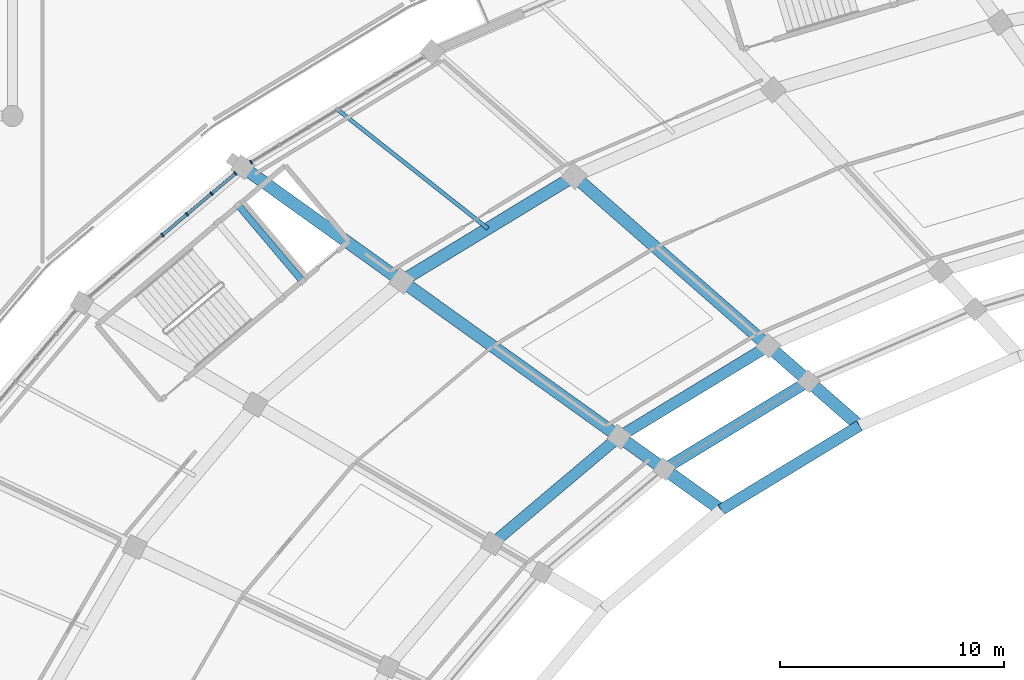
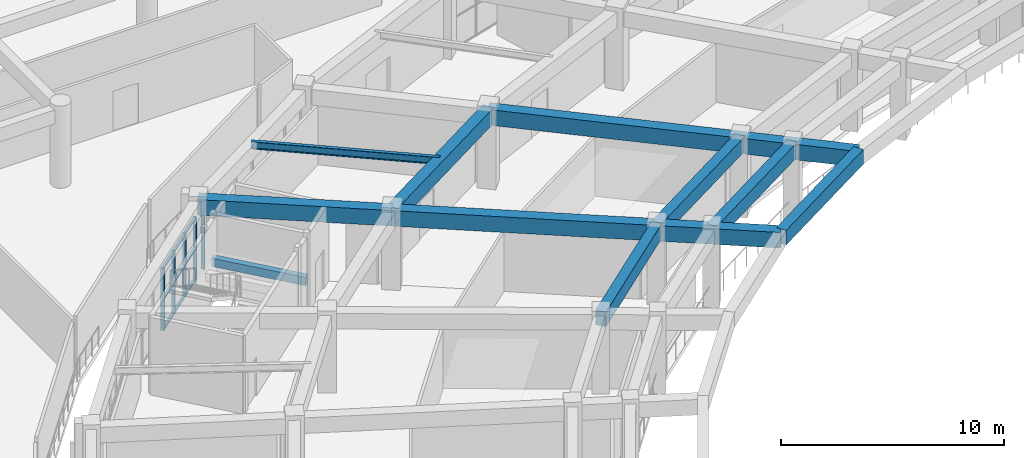
# One storey, part 57 of 145: 14 members, 10 beams, 2 elements without a shape of their own.
"""IFC4 building model written with IfcOpenShell, lengths in metres."""

from ifc_helpers import new_model, si_unit, direction, frame, origin, origin_2d, place, context, subcontext, project, spatial, rectangle, i_section, extrude, material, layer, layer_set, material_profile, profile_set, type_object, element, aggregate, save


model = new_model("IFC4")

# Units and contexts
model_context = context("Model", 3, precision=1e-05, world=origin(), true_north=direction((0.0, 1.0)))
body_context = subcontext(model_context, "Body", "Model", "MODEL_VIEW")
ifc_project = project(units=[si_unit("LENGTHUNIT", "METRE"), si_unit("AREAUNIT", "SQUARE_METRE"), si_unit("VOLUMEUNIT", "CUBIC_METRE"), si_unit("PLANEANGLEUNIT", "RADIAN"), si_unit("MASSUNIT", "GRAM", prefix="KILO")], contexts=[model_context])

# Site, building, storey
site_placement = place(None, origin())
site = spatial("IfcSite", under=ifc_project, at=site_placement, CompositionType="ELEMENT")
building_placement = place(site_placement, origin())
building = spatial("IfcBuilding", under=site, at=building_placement, Name="Mphavela Belvedere Stadium", CompositionType="ELEMENT")
storey_placement = place(building_placement, frame((0.0, 0.0, 10.199951171875)))
storey = spatial("IfcBuildingStorey", under=building, at=storey_placement, Name="L02", CompositionType="ELEMENT", Elevation=10.199951171875)

# Beams
ifc_material_1 = material(Name="Steel S355", Category="steel")
ifc_material_profile_1 = material_profile(ifc_material_1, i_section(OverallWidth=0.179931640625, OverallDepth=0.39990234375, WebThickness=0.008544921875, FlangeThickness=0.013427734375, at=origin_2d()), Name="IPE 400")
ifc_profile_set_1 = profile_set([ifc_material_profile_1], Name="Steel S355")
beam_type_1 = type_object("IfcBeamType", Name="BM-JOIST-IPE400", PredefinedType="JOIST", material=ifc_profile_set_1)
beam_1_placement = place(storey_placement, frame((46.789306640625, 140.97412109375, 4.050048828125), z_axis=(-0.784195537739, 0.620513785979, 0.0), x_axis=(-0.620513785979, -0.784195537739, 0.0)))
element("IfcBeam", 1, at=beam_1_placement, inside=storey, type_object=beam_type_1, Name="Concourse floor joist L02-18", PredefinedType="JOIST", context=body_context, shape_type="SweptSolid", body=[
    extrude(i_section(OverallWidth=0.179931640625, OverallDepth=0.39990234375, WebThickness=0.008544921875, FlangeThickness=0.013427734375, at=origin_2d()), origin(), (0.0, 0.0, 1.0), 8.56298828125),
])
ifc_material_2 = material(Name="Concrete C40/50", Category="concrete")
ifc_material_profile_2 = material_profile(ifc_material_2, rectangle(XDim=0.300048828125, YDim=0.449951171875, at=origin_2d()), Name="RC 300x450")
ifc_profile_set_2 = profile_set([ifc_material_profile_2], Name="Concrete C40/50")
beam_type_2 = type_object("IfcBeamType", Name="BM-RC300x450", PredefinedType="BEAM", material=ifc_profile_set_2)
beam_2_placement = place(storey_placement, frame((38.510009765625, 138.612548828125, 1.824951171875), z_axis=(-0.644915803055, 0.764253627384, 0.0), x_axis=(-0.764253627384, -0.644915803055, 0.0)))
element("IfcBeam", 2, at=beam_2_placement, inside=storey, type_object=beam_type_2, Name="Core C05 landing trimmer beam L02-2", PredefinedType="BEAM", context=body_context, shape_type="SweptSolid", body=[
    extrude(rectangle(XDim=0.300048828125, YDim=0.449951171875, at=origin_2d()), origin(), (0.0, 0.0, 1.0), 4.469970703125),
])
ifc_material_3 = material(Name="Concrete C40/50", Category="concrete")
ifc_material_profile_3 = material_profile(ifc_material_3, rectangle(XDim=0.5, YDim=0.800048828125, at=origin_2d()), Name="RC 500x800")
ifc_profile_set_3 = profile_set([ifc_material_profile_3], Name="Concrete C40/50")
beam_type_3 = type_object("IfcBeamType", Name="BM-RC500x800", PredefinedType="BEAM", material=ifc_profile_set_3)
beam_3_placement = place(storey_placement, frame((61.11083984375, 134.154296875, 3.85009765625), z_axis=(-0.854325951403, -0.51973759606, 0.0), x_axis=(0.51973759606, -0.854325951403, 0.0)))
element("IfcBeam", 3, at=beam_3_placement, inside=storey, type_object=beam_type_3, Name="Circumferential girder L02 R1-18", PredefinedType="BEAM", context=body_context, shape_type="SweptSolid", body=[
    extrude(rectangle(XDim=0.5, YDim=0.800048828125, at=origin_2d()), origin(), (0.0, 0.0, 1.0), 7.5478515625),
])
beam_4_placement = place(storey_placement, frame((59.31005859375, 135.72998046875, 3.85009765625), z_axis=(-0.854328477138, -0.519733444326, 0.0), x_axis=(0.519733444326, -0.854328477138, 0.0)))
element("IfcBeam", 4, at=beam_4_placement, inside=storey, type_object=beam_type_3, Name="Circumferential girder L02 R2-18", PredefinedType="BEAM", context=body_context, shape_type="SweptSolid", body=[
    extrude(rectangle(XDim=0.5, YDim=0.800048828125, at=origin_2d()), origin(), (0.0, 0.0, 1.0), 7.800048828125),
])
beam_5_placement = place(storey_placement, frame((52.646240234375, 131.676025390625, 3.85009765625), z_axis=(-0.764257451296, -0.644911271523, 0.0), x_axis=(0.644911271523, -0.764257451296, 0.0)))
element("IfcBeam", 5, at=beam_5_placement, inside=storey, type_object=beam_type_3, Name="Circumferential girder L02 R2-19", PredefinedType="BEAM", context=body_context, shape_type="SweptSolid", body=[
    extrude(rectangle(XDim=0.5, YDim=0.800048828125, at=origin_2d()), origin(), (0.0, 0.0, 1.0), 7.4033203125),
])
beam_6_placement = place(storey_placement, frame((63.37841796875, 132.170166015625, 3.85009765625), z_axis=(-0.854327633962, -0.519734830321, 0.0), x_axis=(0.519734830321, -0.854327633962, 0.0)))
element("IfcBeam", 6, at=beam_6_placement, inside=storey, type_object=beam_type_3, Name="Upper tier front sightline ring beam 18", PredefinedType="BEAM", context=body_context, shape_type="SweptSolid", body=[
    extrude(rectangle(XDim=0.5, YDim=0.800048828125, at=origin_2d()), origin(), (0.0, 0.0, 1.0), 7.230224609375),
])
ifc_material_4 = material(Name="Concrete C40/50", Category="concrete")
ifc_material_profile_4 = material_profile(ifc_material_4, rectangle(XDim=0.550048828125, YDim=0.85009765625, at=origin_2d()), Name="RC 550x850")
ifc_profile_set_4 = profile_set([ifc_material_profile_4], Name="Concrete C40/50")
beam_type_4 = type_object("IfcBeamType", Name="BM-RC550x850", PredefinedType="BEAM", material=ifc_profile_set_4)
beam_7_placement = place(storey_placement, frame((50.639892578125, 143.31689453125, 3.824951171875), z_axis=(-0.854315160357, -0.519755333579, 0.0), x_axis=(0.519755333579, -0.854315160357, 0.0)))
element("IfcBeam", 7, at=beam_7_placement, inside=storey, type_object=beam_type_4, Name="Circumferential girder L02 R3-18", PredefinedType="BEAM", context=body_context, shape_type="SweptSolid", body=[
    extrude(rectangle(XDim=0.550048828125, YDim=0.85009765625, at=origin_2d()), origin(), (0.0, 0.0, 1.0), 9.014404296875),
])
beam_8_placement = place(storey_placement, frame((42.938720703125, 138.631591796875, 3.824951171875), z_axis=(-0.812882024932, 0.582428376319, 0.0), x_axis=(-0.582428376319, -0.812882024932, 0.0)))
element("IfcBeam", 8, at=beam_8_placement, inside=storey, type_object=beam_type_4, Name="Radial concourse girder L02 R3R4-19", PredefinedType="BEAM", context=body_context, shape_type="SweptSolid", body=[
    extrude(rectangle(XDim=0.550048828125, YDim=0.85009765625, at=origin_2d()), origin(), (0.0, 0.0, 1.0), 8.727294921875),
])
beam_9_placement = place(storey_placement, frame((63.37841796875, 132.170166015625, 3.824951171875), z_axis=(-0.752561505429, 0.65852196664, 0.0), x_axis=(-0.65852196664, -0.752561505429, 0.0)))
element("IfcBeam", 9, at=beam_9_placement, inside=storey, type_object=beam_type_4, Name="Upper tier box-front outrigger girder 18", PredefinedType="BEAM", context=body_context, shape_type="SweptSolid", body=[
    extrude(rectangle(XDim=0.550048828125, YDim=0.85009765625, at=origin_2d()), origin(), (0.0, 0.0, 1.0), 16.927001953125),
])
beam_10_placement = place(storey_placement, frame((57.201416015625, 128.412353515625, 3.824951171875), z_axis=(-0.812880808861, 0.582430073559, 0.0), x_axis=(-0.582430073559, -0.812880808861, 0.0)))
element("IfcBeam", 10, at=beam_10_placement, inside=storey, type_object=beam_type_4, Name="Upper tier box-front outrigger girder 19", PredefinedType="BEAM", context=body_context, shape_type="SweptSolid", body=[
    extrude(rectangle(XDim=0.550048828125, YDim=0.85009765625, at=origin_2d()), origin(), (0.0, 0.0, 1.0), 17.5458984375),
])

# Curtain wall, member
ifc_material_5 = material(Name="Anodised bronze unitised curtain wall framing")
ifc_layer_1 = layer(ifc_material_5, 0.199951171875)
ifc_layer_set_1 = layer_set([ifc_layer_1], Name="Anodised bronze unitised curtain wall framing")
curtain_wall_type_1 = type_object("IfcCurtainWallType", Name="CW-UNIT-05", PredefinedType="USERDEFINED", material=ifc_layer_set_1)
curtain_wall_1_placement = place(storey_placement, origin())
curtain_wall_1 = element("IfcCurtainWall", 11, at=curtain_wall_1_placement, inside=storey, type_object=curtain_wall_type_1, Name="Belvedere colonnade curtain wall L02-18", ObjectType="UNITISED CURTAIN WALL", PredefinedType="USERDEFINED")
ifc_material_6 = material(Name="Anodised bronze extruded aluminium", Category="aluminium")
ifc_material_profile_5 = material_profile(ifc_material_6, rectangle(XDim=0.179931640625, YDim=0.06494140625, at=origin_2d()), Name="CW-MUL 180x65")
ifc_profile_set_5 = profile_set([ifc_material_profile_5], Name="Anodised bronze extruded aluminium")
member_type_1 = type_object("IfcMemberType", Name="CWM-180x65", PredefinedType="MULLION", material=ifc_profile_set_5)
member_1_placement = place(storey_placement, frame((36.212158203125, 143.938232421875, 0.0), z_axis=(0.0, 0.0, 1.0), x_axis=(0.519731623633, -0.85432958476, 0.0)))
member_1 = element("IfcMember", 12, at=member_1_placement, type_object=member_type_1, Name="CW-05 mullion 7", PredefinedType="MULLION", context=body_context, shape_type="SweptSolid", body=[
    extrude(rectangle(XDim=0.179931640625, YDim=0.06494140625, at=origin_2d()), origin(), (0.0, 0.0, 1.0), 3.420166015625),
])
aggregate(curtain_wall_1, [member_1])

# Curtain wall, members
ifc_material_7 = material(Name="Anodised bronze unitised curtain wall framing")
ifc_layer_2 = layer(ifc_material_7, 0.205078125)
ifc_layer_set_2 = layer_set([ifc_layer_2], Name="Anodised bronze unitised curtain wall framing")
curtain_wall_type_2 = type_object("IfcCurtainWallType", Name="CW-UNIT-06", PredefinedType="USERDEFINED", material=ifc_layer_set_2)
curtain_wall_2_placement = place(storey_placement, origin())
curtain_wall_2 = element("IfcCurtainWall", 13, at=curtain_wall_2_placement, inside=storey, type_object=curtain_wall_type_2, Name="Belvedere colonnade curtain wall L02-19", ObjectType="UNITISED CURTAIN WALL", PredefinedType="USERDEFINED")
member_2_placement = place(storey_placement, frame((35.515380859375, 143.436767578125, 0.0), z_axis=(0.0, 0.0, 1.0), x_axis=(0.644907225915, -0.764260865126, 0.0)))
member_2 = element("IfcMember", 14, at=member_2_placement, type_object=member_type_1, Name="CW-06 mullion 1", PredefinedType="MULLION", context=body_context, shape_type="SweptSolid", body=[
    extrude(rectangle(XDim=0.179931640625, YDim=0.06494140625, at=origin_2d()), origin(), (0.0, 0.0, 1.0), 3.420166015625),
])
member_3_placement = place(storey_placement, frame((34.444580078125, 142.533203125, 0.0), z_axis=(0.0, 0.0, 1.0), x_axis=(0.644907225915, -0.764260865126, 0.0)))
member_3 = element("IfcMember", 15, at=member_3_placement, type_object=member_type_1, Name="CW-06 mullion 2", PredefinedType="MULLION", context=body_context, shape_type="SweptSolid", body=[
    extrude(rectangle(XDim=0.179931640625, YDim=0.06494140625, at=origin_2d()), origin(), (0.0, 0.0, 1.0), 3.420166015625),
])
member_4_placement = place(storey_placement, frame((33.348876953125, 141.608642578125, 0.0), z_axis=(0.0, 0.0, 1.0), x_axis=(0.644907225915, -0.764260865126, 0.0)))
member_4 = element("IfcMember", 16, at=member_4_placement, type_object=member_type_1, Name="CW-06 mullion 3", PredefinedType="MULLION", context=body_context, shape_type="SweptSolid", body=[
    extrude(rectangle(XDim=0.179931640625, YDim=0.06494140625, at=origin_2d()), origin(), (0.0, 0.0, 1.0), 3.420166015625),
])
member_5_placement = place(storey_placement, frame((32.2529296875, 140.68408203125, 0.0), z_axis=(0.0, 0.0, 1.0), x_axis=(0.644907225915, -0.764260865126, 0.0)))
member_5 = element("IfcMember", 17, at=member_5_placement, type_object=member_type_1, Name="CW-06 mullion 4", PredefinedType="MULLION", context=body_context, shape_type="SweptSolid", body=[
    extrude(rectangle(XDim=0.179931640625, YDim=0.06494140625, at=origin_2d()), origin(), (0.0, 0.0, 1.0), 3.420166015625),
])
ifc_material_8 = material(Name="Anodised bronze extruded aluminium", Category="aluminium")
ifc_material_profile_6 = material_profile(ifc_material_8, rectangle(XDim=0.139892578125, YDim=0.06005859375, at=origin_2d()), Name="CW-TRN 140x60")
ifc_profile_set_6 = profile_set([ifc_material_profile_6], Name="Anodised bronze extruded aluminium")
member_type_2 = type_object("IfcMemberType", Name="CWT-140x60", PredefinedType="USERDEFINED", material=ifc_profile_set_6)
member_6_placement = place(storey_placement, frame((35.490478515625, 143.415771484375, 0.030029296875), z_axis=(-0.764328068464, -0.644827576766, 0.0), x_axis=(0.644827576766, -0.764328068464, 0.0)))
member_6 = element("IfcMember", 18, at=member_6_placement, type_object=member_type_2, Name="CW-06 transom 1.1", ObjectType="TRANSOM", PredefinedType="USERDEFINED", context=body_context, shape_type="SweptSolid", body=[
    extrude(rectangle(XDim=0.139892578125, YDim=0.06005859375, at=origin_2d()), origin(), (0.0, 0.0, 1.0), 1.336181640625),
])
member_7_placement = place(storey_placement, frame((35.490478515625, 143.415771484375, 1.7099609375), z_axis=(-0.764328068464, -0.644827576766, 0.0), x_axis=(0.644827576766, -0.764328068464, 0.0)))
member_7 = element("IfcMember", 19, at=member_7_placement, type_object=member_type_2, Name="CW-06 transom 1.2", ObjectType="TRANSOM", PredefinedType="USERDEFINED", context=body_context, shape_type="SweptSolid", body=[
    extrude(rectangle(XDim=0.139892578125, YDim=0.06005859375, at=origin_2d()), origin(), (0.0, 0.0, 1.0), 1.336181640625),
])
member_8_placement = place(storey_placement, frame((35.490478515625, 143.415771484375, 3.39013671875), z_axis=(-0.764328068464, -0.644827576766, 0.0), x_axis=(0.644827576766, -0.764328068464, 0.0)))
member_8 = element("IfcMember", 20, at=member_8_placement, type_object=member_type_2, Name="CW-06 transom 1.3", ObjectType="TRANSOM", PredefinedType="USERDEFINED", context=body_context, shape_type="SweptSolid", body=[
    extrude(rectangle(XDim=0.139892578125, YDim=0.06005859375, at=origin_2d()), origin(), (0.0, 0.0, 1.0), 1.336181640625),
])
member_9_placement = place(storey_placement, frame((34.419677734375, 142.51220703125, 0.030029296875), z_axis=(-0.764332692147, -0.644822096175, 0.0), x_axis=(0.644822096175, -0.764332692147, 0.0)))
member_9 = element("IfcMember", 21, at=member_9_placement, type_object=member_type_2, Name="CW-06 transom 2.1", ObjectType="TRANSOM", PredefinedType="USERDEFINED", context=body_context, shape_type="SweptSolid", body=[
    extrude(rectangle(XDim=0.139892578125, YDim=0.06005859375, at=origin_2d()), origin(), (0.0, 0.0, 1.0), 1.36865234375),
])
member_10_placement = place(storey_placement, frame((34.419677734375, 142.51220703125, 1.7099609375), z_axis=(-0.764332692147, -0.644822096175, 0.0), x_axis=(0.644822096175, -0.764332692147, 0.0)))
member_10 = element("IfcMember", 22, at=member_10_placement, type_object=member_type_2, Name="CW-06 transom 2.2", ObjectType="TRANSOM", PredefinedType="USERDEFINED", context=body_context, shape_type="SweptSolid", body=[
    extrude(rectangle(XDim=0.139892578125, YDim=0.06005859375, at=origin_2d()), origin(), (0.0, 0.0, 1.0), 1.36865234375),
])
member_11_placement = place(storey_placement, frame((34.419677734375, 142.51220703125, 3.39013671875), z_axis=(-0.764332692147, -0.644822096175, 0.0), x_axis=(0.644822096175, -0.764332692147, 0.0)))
member_11 = element("IfcMember", 23, at=member_11_placement, type_object=member_type_2, Name="CW-06 transom 2.3", ObjectType="TRANSOM", PredefinedType="USERDEFINED", context=body_context, shape_type="SweptSolid", body=[
    extrude(rectangle(XDim=0.139892578125, YDim=0.06005859375, at=origin_2d()), origin(), (0.0, 0.0, 1.0), 1.36865234375),
])
member_12_placement = place(storey_placement, frame((33.323974609375, 141.587646484375, 0.030029296875), z_axis=(-0.764332692147, -0.644822096175, 0.0), x_axis=(0.644822096175, -0.764332692147, 0.0)))
member_12 = element("IfcMember", 24, at=member_12_placement, type_object=member_type_2, Name="CW-06 transom 3.1", ObjectType="TRANSOM", PredefinedType="USERDEFINED", context=body_context, shape_type="SweptSolid", body=[
    extrude(rectangle(XDim=0.139892578125, YDim=0.06005859375, at=origin_2d()), origin(), (0.0, 0.0, 1.0), 1.36865234375),
])
member_13_placement = place(storey_placement, frame((33.323974609375, 141.587646484375, 1.7099609375), z_axis=(-0.764332692147, -0.644822096175, 0.0), x_axis=(0.644822096175, -0.764332692147, 0.0)))
member_13 = element("IfcMember", 25, at=member_13_placement, type_object=member_type_2, Name="CW-06 transom 3.2", ObjectType="TRANSOM", PredefinedType="USERDEFINED", context=body_context, shape_type="SweptSolid", body=[
    extrude(rectangle(XDim=0.139892578125, YDim=0.06005859375, at=origin_2d()), origin(), (0.0, 0.0, 1.0), 1.36865234375),
])
member_14_placement = place(storey_placement, frame((33.323974609375, 141.587646484375, 3.39013671875), z_axis=(-0.764332692147, -0.644822096175, 0.0), x_axis=(0.644822096175, -0.764332692147, 0.0)))
member_14 = element("IfcMember", 26, at=member_14_placement, type_object=member_type_2, Name="CW-06 transom 3.3", ObjectType="TRANSOM", PredefinedType="USERDEFINED", context=body_context, shape_type="SweptSolid", body=[
    extrude(rectangle(XDim=0.139892578125, YDim=0.06005859375, at=origin_2d()), origin(), (0.0, 0.0, 1.0), 1.36865234375),
])
aggregate(curtain_wall_2, [member_2, member_3, member_4, member_5, member_6, member_7, member_8, member_9, member_10, member_11, member_12, member_13, member_14])

save(model, "model.ifc")
